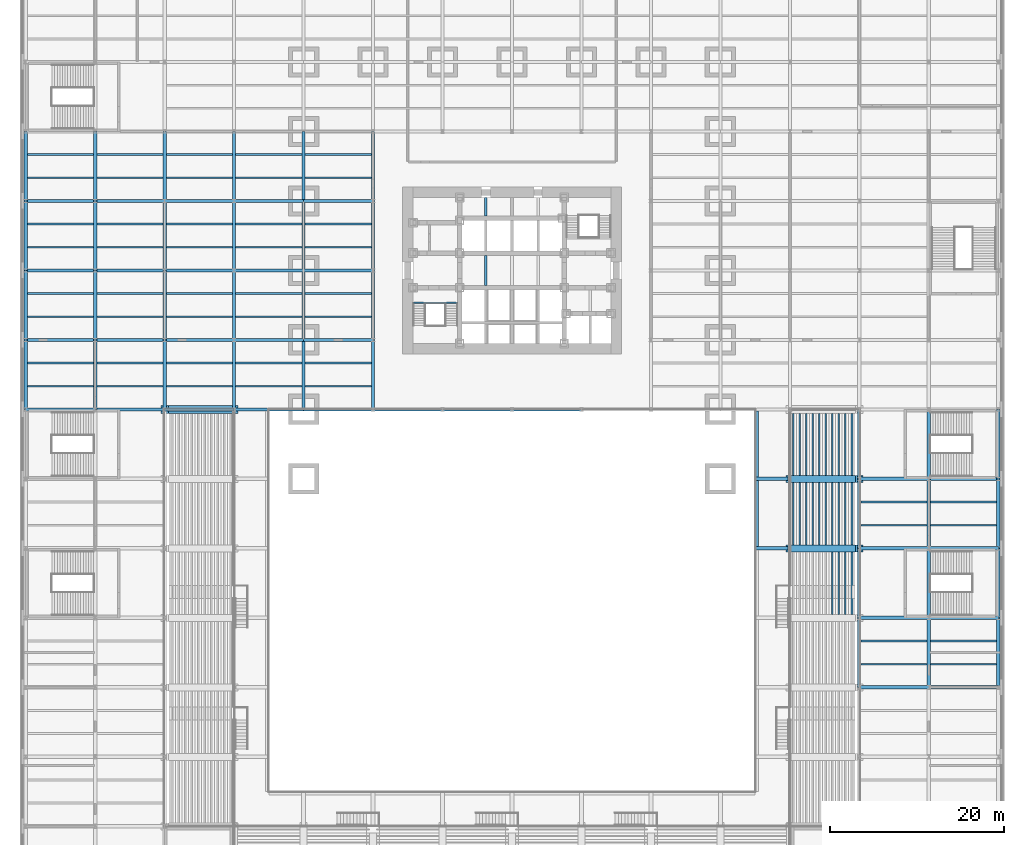
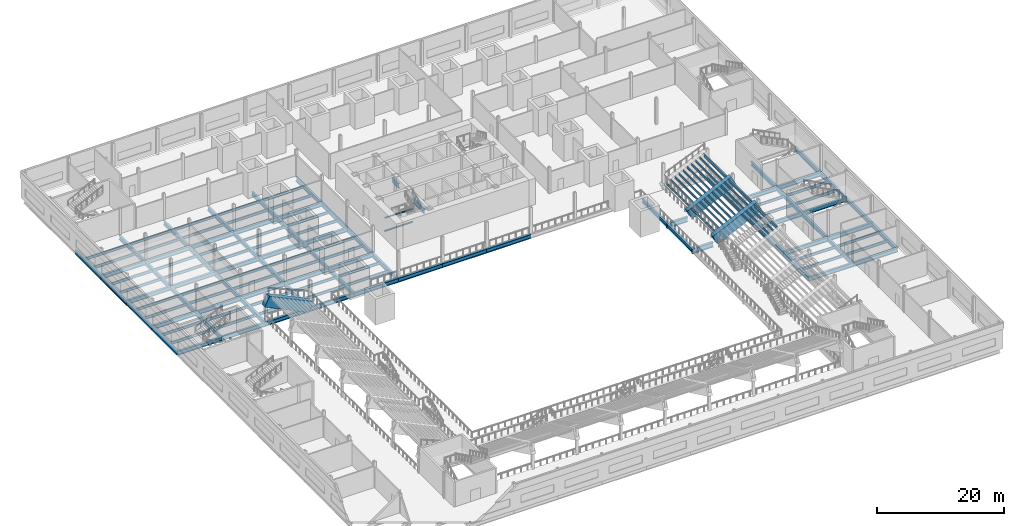
# One storey, part 9 of 27: 150 beams.
"""IFC4 building model written with IfcOpenShell, lengths in metres."""

from ifc_helpers import new_model, si_unit, direction, frame, origin, origin_2d, place, context, subcontext, project, spatial, rectangle, i_section, extrude, material, material_profile, profile_set, type_object, element, save


model = new_model("IFC4")

# Units and contexts
model_context = context("Model", 3, precision=1e-05, world=origin(), true_north=direction((0.0, 1.0)))
body_context = subcontext(model_context, "Body", "Model", "MODEL_VIEW")
ifc_project = project(units=[si_unit("LENGTHUNIT", "METRE"), si_unit("AREAUNIT", "SQUARE_METRE"), si_unit("VOLUMEUNIT", "CUBIC_METRE"), si_unit("PLANEANGLEUNIT", "RADIAN"), si_unit("MASSUNIT", "GRAM", prefix="KILO")], contexts=[model_context])

# Site, building, storey
site_placement = place(None, origin())
site = spatial("IfcSite", under=ifc_project, at=site_placement, CompositionType="ELEMENT")
building_placement = place(site_placement, origin())
building = spatial("IfcBuilding", under=site, at=building_placement, Name="Daluyong Arena Tower", CompositionType="ELEMENT")
storey_placement = place(building_placement, frame((0.0, 0.0, 14.89990234375)))
storey = spatial("IfcBuildingStorey", under=building, at=storey_placement, Name="L03", CompositionType="ELEMENT", Elevation=14.89990234375)

# Beams
ifc_material_1 = material(Name="Steel ASTM A992 Grade 50", Category="steel")
ifc_material_profile_1 = material_profile(ifc_material_1, i_section(OverallWidth=0.424072265625, OverallDepth=0.947509765625, WebThickness=0.02392578125, FlangeThickness=0.042724609375, at=origin_2d()))
ifc_profile_set_1 = profile_set([ifc_material_profile_1], Name="Steel ASTM A992 Grade 50")
beam_type_1 = type_object("IfcBeamType", Name="Cross-aisle bracket W36X302", PredefinedType="BEAM", material=ifc_profile_set_1)
for number, where, z_axis, x_axis, name in (
    (1, (87.796875, 48.0, -0.773681640625), (-1.0, 0.0, 0.0), (0.0, -1.0, 0.0), "cross-aisle bracket CB1"),
    (2, (87.796875, 56.0, -0.773681640625), (-1.0, 0.0, 0.0), (0.0, -1.0, 0.0), "cross-aisle bracket CB1"),
):
    element("IfcBeam", number, at=place(storey_placement, frame(where, z_axis=z_axis, x_axis=x_axis)), inside=storey, type_object=beam_type_1, Name=name, PredefinedType="BEAM", context=body_context, shape_type="SweptSolid", body=[
        extrude(i_section(OverallWidth=0.424072265625, OverallDepth=0.947509765625, WebThickness=0.02392578125, FlangeThickness=0.042724609375, at=origin_2d()), origin(), (0.0, 0.0, 1.0), 3.796875),
    ])
ifc_material_2 = material(Name="Steel ASTM A992 Grade 50", Category="steel")
ifc_material_profile_2 = material_profile(ifc_material_2, i_section(OverallWidth=0.381103515625, OverallDepth=0.772216796875, WebThickness=0.0166015625, FlangeThickness=0.027099609375, at=origin_2d()))
ifc_profile_set_2 = profile_set([ifc_material_profile_2], Name="Steel ASTM A992 Grade 50")
beam_type_2 = type_object("IfcBeamType", Name="Cross-aisle edge beam W30X173", PredefinedType="BEAM", material=ifc_profile_set_2)
beam_1_placement = place(storey_placement, frame((84.1904296875, 48.0, -0.68603515625), z_axis=(0.0, 1.0, 0.0), x_axis=(-1.0, 0.0, 0.0)))
element("IfcBeam", 3, at=beam_1_placement, inside=storey, type_object=beam_type_2, Name="cross-aisle edge beam CE1", PredefinedType="BEAM", context=body_context, shape_type="SweptSolid", body=[
    extrude(i_section(OverallWidth=0.381103515625, OverallDepth=0.772216796875, WebThickness=0.0166015625, FlangeThickness=0.027099609375, at=origin_2d()), origin(), (0.0, 0.0, 1.0), 8.0),
])
beam_2_placement = place(storey_placement, frame((84.1904296875, 56.0, -0.68603515625), z_axis=(0.0, 1.0, 0.0), x_axis=(-1.0, 0.0, 0.0)))
element("IfcBeam", 4, at=beam_2_placement, inside=storey, type_object=beam_type_2, Name="cross-aisle edge beam CE1", PredefinedType="BEAM", context=body_context, shape_type="SweptSolid", body=[
    extrude(i_section(OverallWidth=0.381103515625, OverallDepth=0.772216796875, WebThickness=0.0166015625, FlangeThickness=0.027099609375, at=origin_2d()), origin(), (0.0, 0.0, 1.0), 7.8095703125),
])
ifc_material_3 = material(Name="Steel ASTM A572 Grade 50", Category="steel")
ifc_material_profile_3 = material_profile(ifc_material_3, i_section(OverallWidth=0.300048828125, OverallDepth=0.89990234375, WebThickness=0.025, FlangeThickness=0.04, at=origin_2d()))
ifc_profile_set_3 = profile_set([ifc_material_profile_3], Name="Steel ASTM A572 Grade 50")
beam_type_3 = type_object("IfcBeamType", Name="Lift divider beam PG900X300", PredefinedType="BEAM", material=ifc_profile_set_3)
beam_3_placement = place(storey_placement, frame((53.0, 78.25, -0.64990234375), z_axis=(0.0, 1.0, 0.0), x_axis=(-1.0, 0.0, 0.0)))
element("IfcBeam", 5, at=beam_3_placement, inside=storey, type_object=beam_type_3, Name="lift divider beam DB1", PredefinedType="BEAM", context=body_context, shape_type="SweptSolid", body=[
    extrude(i_section(OverallWidth=0.300048828125, OverallDepth=0.89990234375, WebThickness=0.025, FlangeThickness=0.04, at=origin_2d()), origin(), (0.0, 0.0, 1.0), 3.5),
])
beam_4_placement = place(storey_placement, frame((53.0, 86.25, -0.64990234375), z_axis=(0.0, 1.0, 0.0), x_axis=(-1.0, 0.0, 0.0)))
element("IfcBeam", 6, at=beam_4_placement, inside=storey, type_object=beam_type_3, Name="lift divider beam DB1", PredefinedType="BEAM", context=body_context, shape_type="SweptSolid", body=[
    extrude(i_section(OverallWidth=0.300048828125, OverallDepth=0.89990234375, WebThickness=0.025, FlangeThickness=0.04, at=origin_2d()), origin(), (0.0, 0.0, 1.0), 2.14990234375),
])
ifc_material_4 = material(Name="Steel ASTM A992 Grade 50", Category="steel")
ifc_material_profile_4 = material_profile(ifc_material_4, i_section(OverallWidth=0.209228515625, OverallDepth=0.533447265625, WebThickness=0.01025390625, FlangeThickness=0.015625, at=origin_2d()))
ifc_profile_set_4 = profile_set([ifc_material_profile_4], Name="Steel ASTM A992 Grade 50")
beam_type_4 = type_object("IfcBeamType", Name="Podium floor beam W21X62", PredefinedType="BEAM", material=ifc_profile_set_4)
for number, where, z_axis, x_axis, name in (
    (7, (0.1904296875, 66.666748046875, -0.466552734375), (1.0, 0.0, 0.0), (0.0, 1.0, 0.0), "podium floor beam PB1"),
    (8, (0.1904296875, 69.333251953125, -0.466552734375), (1.0, 0.0, 0.0), (0.0, 1.0, 0.0), "podium floor beam PB1"),
    (9, (0.1904296875, 74.666748046875, -0.466552734375), (1.0, 0.0, 0.0), (0.0, 1.0, 0.0), "podium floor beam PB1"),
    (10, (0.1904296875, 77.333251953125, -0.466552734375), (1.0, 0.0, 0.0), (0.0, 1.0, 0.0), "podium floor beam PB1"),
    (11, (0.1904296875, 82.666748046875, -0.466552734375), (1.0, 0.0, 0.0), (0.0, 1.0, 0.0), "podium floor beam PB1"),
    (12, (0.1904296875, 85.333251953125, -0.466552734375), (1.0, 0.0, 0.0), (0.0, 1.0, 0.0), "podium floor beam PB1"),
    (13, (0.1904296875, 90.666748046875, -0.466552734375), (1.0, 0.0, 0.0), (0.0, 1.0, 0.0), "podium floor beam PB1"),
    (14, (0.1904296875, 93.333251953125, -0.466552734375), (1.0, 0.0, 0.0), (0.0, 1.0, 0.0), "podium floor beam PB1"),
    (15, (8.1904296875, 66.666748046875, -0.466552734375), (1.0, 0.0, 0.0), (0.0, 1.0, 0.0), "podium floor beam PB1"),
    (16, (8.1904296875, 69.333251953125, -0.466552734375), (1.0, 0.0, 0.0), (0.0, 1.0, 0.0), "podium floor beam PB1"),
    (17, (8.1904296875, 74.666748046875, -0.466552734375), (1.0, 0.0, 0.0), (0.0, 1.0, 0.0), "podium floor beam PB1"),
    (18, (8.1904296875, 77.333251953125, -0.466552734375), (1.0, 0.0, 0.0), (0.0, 1.0, 0.0), "podium floor beam PB1"),
    (19, (8.1904296875, 82.666748046875, -0.466552734375), (1.0, 0.0, 0.0), (0.0, 1.0, 0.0), "podium floor beam PB1"),
    (20, (8.1904296875, 85.333251953125, -0.466552734375), (1.0, 0.0, 0.0), (0.0, 1.0, 0.0), "podium floor beam PB1"),
    (21, (8.1904296875, 90.666748046875, -0.466552734375), (1.0, 0.0, 0.0), (0.0, 1.0, 0.0), "podium floor beam PB1"),
    (22, (8.1904296875, 93.333251953125, -0.466552734375), (1.0, 0.0, 0.0), (0.0, 1.0, 0.0), "podium floor beam PB1"),
    (23, (16.1904296875, 66.666748046875, -0.466552734375), (1.0, 0.0, 0.0), (0.0, 1.0, 0.0), "podium floor beam PB1"),
    (24, (16.1904296875, 69.333251953125, -0.466552734375), (1.0, 0.0, 0.0), (0.0, 1.0, 0.0), "podium floor beam PB1"),
    (25, (16.1904296875, 74.666748046875, -0.466552734375), (1.0, 0.0, 0.0), (0.0, 1.0, 0.0), "podium floor beam PB1"),
    (26, (16.1904296875, 77.333251953125, -0.466552734375), (1.0, 0.0, 0.0), (0.0, 1.0, 0.0), "podium floor beam PB1"),
    (27, (16.1904296875, 82.666748046875, -0.466552734375), (1.0, 0.0, 0.0), (0.0, 1.0, 0.0), "podium floor beam PB1"),
    (28, (16.1904296875, 85.333251953125, -0.466552734375), (1.0, 0.0, 0.0), (0.0, 1.0, 0.0), "podium floor beam PB1"),
    (29, (16.1904296875, 90.666748046875, -0.466552734375), (1.0, 0.0, 0.0), (0.0, 1.0, 0.0), "podium floor beam PB1"),
    (30, (16.1904296875, 93.333251953125, -0.466552734375), (1.0, 0.0, 0.0), (0.0, 1.0, 0.0), "podium floor beam PB1"),
    (31, (24.1904296875, 66.666748046875, -0.466552734375), (1.0, 0.0, 0.0), (0.0, 1.0, 0.0), "podium floor beam PB1"),
    (32, (24.1904296875, 69.333251953125, -0.466552734375), (1.0, 0.0, 0.0), (0.0, 1.0, 0.0), "podium floor beam PB1"),
    (33, (24.1904296875, 74.666748046875, -0.466552734375), (1.0, 0.0, 0.0), (0.0, 1.0, 0.0), "podium floor beam PB1"),
    (34, (24.1904296875, 77.333251953125, -0.466552734375), (1.0, 0.0, 0.0), (0.0, 1.0, 0.0), "podium floor beam PB1"),
    (35, (24.1904296875, 82.666748046875, -0.466552734375), (1.0, 0.0, 0.0), (0.0, 1.0, 0.0), "podium floor beam PB1"),
    (36, (24.1904296875, 85.333251953125, -0.466552734375), (1.0, 0.0, 0.0), (0.0, 1.0, 0.0), "podium floor beam PB1"),
    (37, (24.1904296875, 90.666748046875, -0.466552734375), (1.0, 0.0, 0.0), (0.0, 1.0, 0.0), "podium floor beam PB1"),
    (38, (24.1904296875, 93.333251953125, -0.466552734375), (1.0, 0.0, 0.0), (0.0, 1.0, 0.0), "podium floor beam PB1"),
    (39, (32.1904296875, 66.666748046875, -0.466552734375), (1.0, 0.0, 0.0), (0.0, 1.0, 0.0), "podium floor beam PB1"),
    (40, (32.1904296875, 69.333251953125, -0.466552734375), (1.0, 0.0, 0.0), (0.0, 1.0, 0.0), "podium floor beam PB1"),
    (41, (32.1904296875, 74.666748046875, -0.466552734375), (1.0, 0.0, 0.0), (0.0, 1.0, 0.0), "podium floor beam PB1"),
    (42, (32.1904296875, 77.333251953125, -0.466552734375), (1.0, 0.0, 0.0), (0.0, 1.0, 0.0), "podium floor beam PB1"),
    (43, (32.1904296875, 82.666748046875, -0.466552734375), (1.0, 0.0, 0.0), (0.0, 1.0, 0.0), "podium floor beam PB1"),
    (44, (32.1904296875, 85.333251953125, -0.466552734375), (1.0, 0.0, 0.0), (0.0, 1.0, 0.0), "podium floor beam PB1"),
    (45, (32.1904296875, 90.666748046875, -0.466552734375), (1.0, 0.0, 0.0), (0.0, 1.0, 0.0), "podium floor beam PB1"),
    (46, (32.1904296875, 93.333251953125, -0.466552734375), (1.0, 0.0, 0.0), (0.0, 1.0, 0.0), "podium floor beam PB1"),
    (47, (96.1904296875, 34.666748046875, -0.466552734375), (1.0, 0.0, 0.0), (0.0, 1.0, 0.0), "podium floor beam PB1"),
    (48, (96.1904296875, 37.333251953125, -0.466552734375), (1.0, 0.0, 0.0), (0.0, 1.0, 0.0), "podium floor beam PB1"),
    (49, (96.1904296875, 50.666748046875, -0.466552734375), (1.0, 0.0, 0.0), (0.0, 1.0, 0.0), "podium floor beam PB1"),
    (50, (96.1904296875, 53.333251953125, -0.466552734375), (1.0, 0.0, 0.0), (0.0, 1.0, 0.0), "podium floor beam PB1"),
    (51, (104.1904296875, 34.666748046875, -0.466552734375), (1.0, 0.0, 0.0), (0.0, 1.0, 0.0), "podium floor beam PB1"),
    (52, (104.1904296875, 37.333251953125, -0.466552734375), (1.0, 0.0, 0.0), (0.0, 1.0, 0.0), "podium floor beam PB1"),
    (53, (104.1904296875, 50.666748046875, -0.466552734375), (1.0, 0.0, 0.0), (0.0, 1.0, 0.0), "podium floor beam PB1"),
    (54, (104.1904296875, 53.333251953125, -0.466552734375), (1.0, 0.0, 0.0), (0.0, 1.0, 0.0), "podium floor beam PB1"),
):
    element("IfcBeam", number, at=place(storey_placement, frame(where, z_axis=z_axis, x_axis=x_axis)), inside=storey, type_object=beam_type_4, Name=name, PredefinedType="BEAM", context=body_context, shape_type="SweptSolid", body=[
        extrude(i_section(OverallWidth=0.209228515625, OverallDepth=0.533447265625, WebThickness=0.01025390625, FlangeThickness=0.015625, at=origin_2d()), origin(), (0.0, 0.0, 1.0), 7.619140625),
    ])
ifc_material_5 = material(Name="Steel ASTM A992 Grade 50", Category="steel")
ifc_material_profile_5 = material_profile(ifc_material_5, i_section(OverallWidth=0.381103515625, OverallDepth=0.772216796875, WebThickness=0.0166015625, FlangeThickness=0.027099609375, at=origin_2d()))
ifc_profile_set_5 = profile_set([ifc_material_profile_5], Name="Steel ASTM A992 Grade 50")
beam_type_5 = type_object("IfcBeamType", Name="Podium girder W30X173", PredefinedType="BEAM", material=ifc_profile_set_5)
for number, where, z_axis, x_axis, name in (
    (55, (0.0, 64.0, -0.5859375), (1.0, 0.0, 0.0), (0.0, 1.0, 0.0), "podium girder PG1"),
    (56, (0.0, 64.0, -0.5859375), (0.0, 1.0, 0.0), (-1.0, 0.0, 0.0), "podium girder PG1"),
    (57, (0.0, 72.0, -0.5859375), (1.0, 0.0, 0.0), (0.0, 1.0, 0.0), "podium girder PG1"),
    (58, (0.0, 72.0, -0.5859375), (0.0, 1.0, 0.0), (-1.0, 0.0, 0.0), "podium girder PG1"),
    (59, (0.0, 80.0, -0.5859375), (1.0, 0.0, 0.0), (0.0, 1.0, 0.0), "podium girder PG1"),
    (60, (0.0, 80.0, -0.5859375), (0.0, 1.0, 0.0), (-1.0, 0.0, 0.0), "podium girder PG1"),
    (61, (0.0, 88.0, -0.5859375), (1.0, 0.0, 0.0), (0.0, 1.0, 0.0), "podium girder PG1"),
    (62, (0.0, 88.0, -0.5859375), (0.0, 1.0, 0.0), (-1.0, 0.0, 0.0), "podium girder PG1"),
    (63, (8.0, 64.0, -0.5859375), (1.0, 0.0, 0.0), (0.0, 1.0, 0.0), "podium girder PG1"),
    (64, (8.0, 64.0, -0.5859375), (0.0, 1.0, 0.0), (-1.0, 0.0, 0.0), "podium girder PG1"),
    (65, (8.0, 72.0, -0.5859375), (1.0, 0.0, 0.0), (0.0, 1.0, 0.0), "podium girder PG1"),
    (66, (8.0, 72.0, -0.5859375), (0.0, 1.0, 0.0), (-1.0, 0.0, 0.0), "podium girder PG1"),
    (67, (8.0, 80.0, -0.5859375), (1.0, 0.0, 0.0), (0.0, 1.0, 0.0), "podium girder PG1"),
    (68, (8.0, 80.0, -0.5859375), (0.0, 1.0, 0.0), (-1.0, 0.0, 0.0), "podium girder PG1"),
    (69, (8.0, 88.0, -0.5859375), (1.0, 0.0, 0.0), (0.0, 1.0, 0.0), "podium girder PG1"),
    (70, (8.0, 88.0, -0.5859375), (0.0, 1.0, 0.0), (-1.0, 0.0, 0.0), "podium girder PG1"),
    (71, (16.0, 64.0, -0.5859375), (1.0, 0.0, 0.0), (0.0, 1.0, 0.0), "podium girder PG1"),
    (72, (16.0, 64.0, -0.5859375), (0.0, 1.0, 0.0), (-1.0, 0.0, 0.0), "podium girder PG1"),
    (73, (16.0, 72.0, -0.5859375), (1.0, 0.0, 0.0), (0.0, 1.0, 0.0), "podium girder PG1"),
    (74, (16.0, 72.0, -0.5859375), (0.0, 1.0, 0.0), (-1.0, 0.0, 0.0), "podium girder PG1"),
    (75, (16.0, 80.0, -0.5859375), (1.0, 0.0, 0.0), (0.0, 1.0, 0.0), "podium girder PG1"),
    (76, (16.0, 80.0, -0.5859375), (0.0, 1.0, 0.0), (-1.0, 0.0, 0.0), "podium girder PG1"),
    (77, (16.0, 88.0, -0.5859375), (1.0, 0.0, 0.0), (0.0, 1.0, 0.0), "podium girder PG1"),
    (78, (16.0, 88.0, -0.5859375), (0.0, 1.0, 0.0), (-1.0, 0.0, 0.0), "podium girder PG1"),
    (79, (24.0, 64.0, -0.5859375), (1.0, 0.0, 0.0), (0.0, 1.0, 0.0), "podium girder PG1"),
    (80, (24.0, 64.0, -0.5859375), (0.0, 1.0, 0.0), (-1.0, 0.0, 0.0), "podium girder PG1"),
    (81, (24.0, 72.0, -0.5859375), (1.0, 0.0, 0.0), (0.0, 1.0, 0.0), "podium girder PG1"),
    (82, (24.0, 72.0, -0.5859375), (0.0, 1.0, 0.0), (-1.0, 0.0, 0.0), "podium girder PG1"),
    (83, (24.0, 80.0, -0.5859375), (1.0, 0.0, 0.0), (0.0, 1.0, 0.0), "podium girder PG1"),
    (84, (24.0, 80.0, -0.5859375), (0.0, 1.0, 0.0), (-1.0, 0.0, 0.0), "podium girder PG1"),
    (85, (24.0, 88.0, -0.5859375), (1.0, 0.0, 0.0), (0.0, 1.0, 0.0), "podium girder PG1"),
    (86, (24.0, 88.0, -0.5859375), (0.0, 1.0, 0.0), (-1.0, 0.0, 0.0), "podium girder PG1"),
    (87, (32.0, 64.0, -0.5859375), (1.0, 0.0, 0.0), (0.0, 1.0, 0.0), "podium girder PG1"),
    (88, (32.0, 64.0, -0.5859375), (0.0, 1.0, 0.0), (-1.0, 0.0, 0.0), "podium girder PG1"),
    (89, (32.0, 72.0, -0.5859375), (1.0, 0.0, 0.0), (0.0, 1.0, 0.0), "podium girder PG1"),
    (90, (32.0, 72.0, -0.5859375), (0.0, 1.0, 0.0), (-1.0, 0.0, 0.0), "podium girder PG1"),
    (91, (32.0, 80.0, -0.5859375), (1.0, 0.0, 0.0), (0.0, 1.0, 0.0), "podium girder PG1"),
    (92, (32.0, 80.0, -0.5859375), (0.0, 1.0, 0.0), (-1.0, 0.0, 0.0), "podium girder PG1"),
    (93, (32.0, 88.0, -0.5859375), (1.0, 0.0, 0.0), (0.0, 1.0, 0.0), "podium girder PG1"),
    (94, (32.0, 88.0, -0.5859375), (0.0, 1.0, 0.0), (-1.0, 0.0, 0.0), "podium girder PG1"),
    (95, (40.0, 64.0, -0.5859375), (1.0, 0.0, 0.0), (0.0, 1.0, 0.0), "podium girder PG1"),
    (96, (40.0, 64.0, -0.5859375), (0.0, 1.0, 0.0), (-1.0, 0.0, 0.0), "podium girder PG1"),
    (97, (40.0, 72.0, -0.5859375), (0.0, 1.0, 0.0), (-1.0, 0.0, 0.0), "podium girder PG1"),
    (98, (40.0, 80.0, -0.5859375), (0.0, 1.0, 0.0), (-1.0, 0.0, 0.0), "podium girder PG1"),
    (99, (40.0, 88.0, -0.5859375), (0.0, 1.0, 0.0), (-1.0, 0.0, 0.0), "podium girder PG1"),
    (100, (48.0, 64.0, -0.5859375), (1.0, 0.0, 0.0), (0.0, 1.0, 0.0), "podium girder PG1"),
    (101, (56.0, 64.0, -0.5859375), (1.0, 0.0, 0.0), (0.0, 1.0, 0.0), "podium girder PG1"),
    (102, (96.0, 32.0, -0.5859375), (1.0, 0.0, 0.0), (0.0, 1.0, 0.0), "podium girder PG1"),
    (103, (96.0, 32.0, -0.5859375), (0.0, 1.0, 0.0), (-1.0, 0.0, 0.0), "podium girder PG1"),
    (104, (96.0, 40.0, -0.5859375), (1.0, 0.0, 0.0), (0.0, 1.0, 0.0), "podium girder PG1"),
    (105, (96.0, 40.0, -0.5859375), (0.0, 1.0, 0.0), (-1.0, 0.0, 0.0), "podium girder PG1"),
    (106, (96.0, 48.0, -0.5859375), (1.0, 0.0, 0.0), (0.0, 1.0, 0.0), "podium girder PG1"),
    (107, (96.0, 48.0, -0.5859375), (0.0, 1.0, 0.0), (-1.0, 0.0, 0.0), "podium girder PG1"),
    (108, (96.0, 56.0, -0.5859375), (1.0, 0.0, 0.0), (0.0, 1.0, 0.0), "podium girder PG1"),
    (109, (96.0, 56.0, -0.5859375), (0.0, 1.0, 0.0), (-1.0, 0.0, 0.0), "podium girder PG1"),
    (110, (104.0, 32.0, -0.5859375), (1.0, 0.0, 0.0), (0.0, 1.0, 0.0), "podium girder PG1"),
    (111, (104.0, 32.0, -0.5859375), (0.0, 1.0, 0.0), (-1.0, 0.0, 0.0), "podium girder PG1"),
    (112, (104.0, 40.0, -0.5859375), (1.0, 0.0, 0.0), (0.0, 1.0, 0.0), "podium girder PG1"),
    (113, (104.0, 40.0, -0.5859375), (0.0, 1.0, 0.0), (-1.0, 0.0, 0.0), "podium girder PG1"),
    (114, (104.0, 48.0, -0.5859375), (1.0, 0.0, 0.0), (0.0, 1.0, 0.0), "podium girder PG1"),
    (115, (104.0, 48.0, -0.5859375), (0.0, 1.0, 0.0), (-1.0, 0.0, 0.0), "podium girder PG1"),
    (116, (104.0, 56.0, -0.5859375), (1.0, 0.0, 0.0), (0.0, 1.0, 0.0), "podium girder PG1"),
    (117, (104.0, 56.0, -0.5859375), (0.0, 1.0, 0.0), (-1.0, 0.0, 0.0), "podium girder PG1"),
    (118, (112.0, 32.0, -0.5859375), (0.0, 1.0, 0.0), (-1.0, 0.0, 0.0), "podium girder PG1"),
    (119, (112.0, 40.0, -0.5859375), (0.0, 1.0, 0.0), (-1.0, 0.0, 0.0), "podium girder PG1"),
    (120, (112.0, 48.0, -0.5859375), (0.0, 1.0, 0.0), (-1.0, 0.0, 0.0), "podium girder PG1"),
    (121, (112.0, 56.0, -0.5859375), (0.0, 1.0, 0.0), (-1.0, 0.0, 0.0), "podium girder PG1"),
):
    element("IfcBeam", number, at=place(storey_placement, frame(where, z_axis=z_axis, x_axis=x_axis)), inside=storey, type_object=beam_type_5, Name=name, PredefinedType="BEAM", context=body_context, shape_type="SweptSolid", body=[
        extrude(i_section(OverallWidth=0.381103515625, OverallDepth=0.772216796875, WebThickness=0.0166015625, FlangeThickness=0.027099609375, at=origin_2d()), origin(), (0.0, 0.0, 1.0), 8.0),
    ])
ifc_material_6 = material(Name="Steel ASTM A992 Grade 50", Category="steel")
ifc_material_profile_6 = material_profile(ifc_material_6, i_section(OverallWidth=0.140380859375, OverallDepth=0.40380859375, WebThickness=0.007080078125, FlangeThickness=0.01123046875, at=origin_2d()))
ifc_profile_set_6 = profile_set([ifc_material_profile_6], Name="Steel ASTM A992 Grade 50")
beam_type_6 = type_object("IfcBeamType", Name="Seating beam W16X31", PredefinedType="BEAM", material=ifc_profile_set_6)
beam_5_placement = place(storey_placement, frame((88.375, 48.39990234375, 1.226806640625), z_axis=(0.0, 1.0, 0.0), x_axis=(-1.0, 0.0, 0.0)))
element("IfcBeam", 122, at=beam_5_placement, inside=storey, type_object=beam_type_6, Name="seating beam SN1", PredefinedType="BEAM", context=body_context, shape_type="SweptSolid", body=[
    extrude(i_section(OverallWidth=0.140380859375, OverallDepth=0.40380859375, WebThickness=0.007080078125, FlangeThickness=0.01123046875, at=origin_2d()), origin(), (0.0, 0.0, 1.0), 7.2001953125),
])
beam_6_placement = place(storey_placement, frame((88.375, 56.39990234375, 1.226806640625), z_axis=(0.0, 1.0, 0.0), x_axis=(-1.0, 0.0, 0.0)))
element("IfcBeam", 123, at=beam_6_placement, inside=storey, type_object=beam_type_6, Name="seating beam SN1", PredefinedType="BEAM", context=body_context, shape_type="SweptSolid", body=[
    extrude(i_section(OverallWidth=0.140380859375, OverallDepth=0.40380859375, WebThickness=0.007080078125, FlangeThickness=0.01123046875, at=origin_2d()), origin(), (0.0, 0.0, 1.0), 7.150146484375),
])
beam_7_placement = place(storey_placement, frame((89.125, 48.39990234375, 1.583984375), z_axis=(0.0, 1.0, 0.0), x_axis=(-1.0, 0.0, 0.0)))
element("IfcBeam", 124, at=beam_7_placement, inside=storey, type_object=beam_type_6, Name="seating beam SN1", PredefinedType="BEAM", context=body_context, shape_type="SweptSolid", body=[
    extrude(i_section(OverallWidth=0.140380859375, OverallDepth=0.40380859375, WebThickness=0.007080078125, FlangeThickness=0.01123046875, at=origin_2d()), origin(), (0.0, 0.0, 1.0), 7.2001953125),
])
beam_8_placement = place(storey_placement, frame((89.125, 56.39990234375, 1.583984375), z_axis=(0.0, 1.0, 0.0), x_axis=(-1.0, 0.0, 0.0)))
element("IfcBeam", 125, at=beam_8_placement, inside=storey, type_object=beam_type_6, Name="seating beam SN1", PredefinedType="BEAM", context=body_context, shape_type="SweptSolid", body=[
    extrude(i_section(OverallWidth=0.140380859375, OverallDepth=0.40380859375, WebThickness=0.007080078125, FlangeThickness=0.01123046875, at=origin_2d()), origin(), (0.0, 0.0, 1.0), 7.150146484375),
])
beam_9_placement = place(storey_placement, frame((89.875, 48.39990234375, 1.94091796875), z_axis=(0.0, 1.0, 0.0), x_axis=(-1.0, 0.0, 0.0)))
element("IfcBeam", 126, at=beam_9_placement, inside=storey, type_object=beam_type_6, Name="seating beam SN1", PredefinedType="BEAM", context=body_context, shape_type="SweptSolid", body=[
    extrude(i_section(OverallWidth=0.140380859375, OverallDepth=0.40380859375, WebThickness=0.007080078125, FlangeThickness=0.01123046875, at=origin_2d()), origin(), (0.0, 0.0, 1.0), 7.2001953125),
])
beam_10_placement = place(storey_placement, frame((89.875, 56.39990234375, 1.94091796875), z_axis=(0.0, 1.0, 0.0), x_axis=(-1.0, 0.0, 0.0)))
element("IfcBeam", 127, at=beam_10_placement, inside=storey, type_object=beam_type_6, Name="seating beam SN1", PredefinedType="BEAM", context=body_context, shape_type="SweptSolid", body=[
    extrude(i_section(OverallWidth=0.140380859375, OverallDepth=0.40380859375, WebThickness=0.007080078125, FlangeThickness=0.01123046875, at=origin_2d()), origin(), (0.0, 0.0, 1.0), 7.150146484375),
])
beam_11_placement = place(storey_placement, frame((90.625, 48.39990234375, 2.298095703125), z_axis=(0.0, 1.0, 0.0), x_axis=(-1.0, 0.0, 0.0)))
element("IfcBeam", 128, at=beam_11_placement, inside=storey, type_object=beam_type_6, Name="seating beam SN1", PredefinedType="BEAM", context=body_context, shape_type="SweptSolid", body=[
    extrude(i_section(OverallWidth=0.140380859375, OverallDepth=0.40380859375, WebThickness=0.007080078125, FlangeThickness=0.01123046875, at=origin_2d()), origin(), (0.0, 0.0, 1.0), 7.2001953125),
])
beam_12_placement = place(storey_placement, frame((90.625, 56.39990234375, 2.298095703125), z_axis=(0.0, 1.0, 0.0), x_axis=(-1.0, 0.0, 0.0)))
element("IfcBeam", 129, at=beam_12_placement, inside=storey, type_object=beam_type_6, Name="seating beam SN1", PredefinedType="BEAM", context=body_context, shape_type="SweptSolid", body=[
    extrude(i_section(OverallWidth=0.140380859375, OverallDepth=0.40380859375, WebThickness=0.007080078125, FlangeThickness=0.01123046875, at=origin_2d()), origin(), (0.0, 0.0, 1.0), 7.150146484375),
])
beam_13_placement = place(storey_placement, frame((91.375, 48.39990234375, 2.6552734375), z_axis=(0.0, 1.0, 0.0), x_axis=(-1.0, 0.0, 0.0)))
element("IfcBeam", 130, at=beam_13_placement, inside=storey, type_object=beam_type_6, Name="seating beam SN1", PredefinedType="BEAM", context=body_context, shape_type="SweptSolid", body=[
    extrude(i_section(OverallWidth=0.140380859375, OverallDepth=0.40380859375, WebThickness=0.007080078125, FlangeThickness=0.01123046875, at=origin_2d()), origin(), (0.0, 0.0, 1.0), 7.2001953125),
])
beam_14_placement = place(storey_placement, frame((91.375, 56.39990234375, 2.6552734375), z_axis=(0.0, 1.0, 0.0), x_axis=(-1.0, 0.0, 0.0)))
element("IfcBeam", 131, at=beam_14_placement, inside=storey, type_object=beam_type_6, Name="seating beam SN1", PredefinedType="BEAM", context=body_context, shape_type="SweptSolid", body=[
    extrude(i_section(OverallWidth=0.140380859375, OverallDepth=0.40380859375, WebThickness=0.007080078125, FlangeThickness=0.01123046875, at=origin_2d()), origin(), (0.0, 0.0, 1.0), 7.150146484375),
])
beam_15_placement = place(storey_placement, frame((92.125, 48.39990234375, 3.012451171875), z_axis=(0.0, 1.0, 0.0), x_axis=(-1.0, 0.0, 0.0)))
element("IfcBeam", 132, at=beam_15_placement, inside=storey, type_object=beam_type_6, Name="seating beam SN1", PredefinedType="BEAM", context=body_context, shape_type="SweptSolid", body=[
    extrude(i_section(OverallWidth=0.140380859375, OverallDepth=0.40380859375, WebThickness=0.007080078125, FlangeThickness=0.01123046875, at=origin_2d()), origin(), (0.0, 0.0, 1.0), 7.2001953125),
])
beam_16_placement = place(storey_placement, frame((92.125, 56.39990234375, 3.012451171875), z_axis=(0.0, 1.0, 0.0), x_axis=(-1.0, 0.0, 0.0)))
element("IfcBeam", 133, at=beam_16_placement, inside=storey, type_object=beam_type_6, Name="seating beam SN1", PredefinedType="BEAM", context=body_context, shape_type="SweptSolid", body=[
    extrude(i_section(OverallWidth=0.140380859375, OverallDepth=0.40380859375, WebThickness=0.007080078125, FlangeThickness=0.01123046875, at=origin_2d()), origin(), (0.0, 0.0, 1.0), 7.150146484375),
])
for number, where, z_axis, x_axis, name in (
    (134, (92.875, 40.39990234375, 3.36962890625), (0.0, 1.0, 0.0), (-1.0, 0.0, 0.0), "seating beam SN1"),
    (135, (92.875, 48.39990234375, 3.36962890625), (0.0, 1.0, 0.0), (-1.0, 0.0, 0.0), "seating beam SN1"),
):
    element("IfcBeam", number, at=place(storey_placement, frame(where, z_axis=z_axis, x_axis=x_axis)), inside=storey, type_object=beam_type_6, Name=name, PredefinedType="BEAM", context=body_context, shape_type="SweptSolid", body=[
        extrude(i_section(OverallWidth=0.140380859375, OverallDepth=0.40380859375, WebThickness=0.007080078125, FlangeThickness=0.01123046875, at=origin_2d()), origin(), (0.0, 0.0, 1.0), 7.2001953125),
    ])
beam_17_placement = place(storey_placement, frame((92.875, 56.39990234375, 3.36962890625), z_axis=(0.0, 1.0, 0.0), x_axis=(-1.0, 0.0, 0.0)))
element("IfcBeam", 136, at=beam_17_placement, inside=storey, type_object=beam_type_6, Name="seating beam SN1", PredefinedType="BEAM", context=body_context, shape_type="SweptSolid", body=[
    extrude(i_section(OverallWidth=0.140380859375, OverallDepth=0.40380859375, WebThickness=0.007080078125, FlangeThickness=0.01123046875, at=origin_2d()), origin(), (0.0, 0.0, 1.0), 7.150146484375),
])
for number, where, z_axis, x_axis, name in (
    (137, (93.625, 40.39990234375, 3.726806640625), (0.0, 1.0, 0.0), (-1.0, 0.0, 0.0), "seating beam SN1"),
    (138, (93.625, 48.39990234375, 3.726806640625), (0.0, 1.0, 0.0), (-1.0, 0.0, 0.0), "seating beam SN1"),
):
    element("IfcBeam", number, at=place(storey_placement, frame(where, z_axis=z_axis, x_axis=x_axis)), inside=storey, type_object=beam_type_6, Name=name, PredefinedType="BEAM", context=body_context, shape_type="SweptSolid", body=[
        extrude(i_section(OverallWidth=0.140380859375, OverallDepth=0.40380859375, WebThickness=0.007080078125, FlangeThickness=0.01123046875, at=origin_2d()), origin(), (0.0, 0.0, 1.0), 7.2001953125),
    ])
beam_18_placement = place(storey_placement, frame((93.625, 56.39990234375, 3.726806640625), z_axis=(0.0, 1.0, 0.0), x_axis=(-1.0, 0.0, 0.0)))
element("IfcBeam", 139, at=beam_18_placement, inside=storey, type_object=beam_type_6, Name="seating beam SN1", PredefinedType="BEAM", context=body_context, shape_type="SweptSolid", body=[
    extrude(i_section(OverallWidth=0.140380859375, OverallDepth=0.40380859375, WebThickness=0.007080078125, FlangeThickness=0.01123046875, at=origin_2d()), origin(), (0.0, 0.0, 1.0), 7.150146484375),
])
for number, where, z_axis, x_axis, name in (
    (140, (94.375, 40.39990234375, 4.083984375), (0.0, 1.0, 0.0), (-1.0, 0.0, 0.0), "seating beam SN1"),
    (141, (94.375, 48.39990234375, 4.083984375), (0.0, 1.0, 0.0), (-1.0, 0.0, 0.0), "seating beam SN1"),
):
    element("IfcBeam", number, at=place(storey_placement, frame(where, z_axis=z_axis, x_axis=x_axis)), inside=storey, type_object=beam_type_6, Name=name, PredefinedType="BEAM", context=body_context, shape_type="SweptSolid", body=[
        extrude(i_section(OverallWidth=0.140380859375, OverallDepth=0.40380859375, WebThickness=0.007080078125, FlangeThickness=0.01123046875, at=origin_2d()), origin(), (0.0, 0.0, 1.0), 7.2001953125),
    ])
beam_19_placement = place(storey_placement, frame((94.375, 56.39990234375, 4.083984375), z_axis=(0.0, 1.0, 0.0), x_axis=(-1.0, 0.0, 0.0)))
element("IfcBeam", 142, at=beam_19_placement, inside=storey, type_object=beam_type_6, Name="seating beam SN1", PredefinedType="BEAM", context=body_context, shape_type="SweptSolid", body=[
    extrude(i_section(OverallWidth=0.140380859375, OverallDepth=0.40380859375, WebThickness=0.007080078125, FlangeThickness=0.01123046875, at=origin_2d()), origin(), (0.0, 0.0, 1.0), 7.150146484375),
])
ifc_material_7 = material(Name="Steel ASTM A992 Grade 50", Category="steel")
ifc_material_profile_7 = material_profile(ifc_material_7, i_section(OverallWidth=0.22900390625, OverallDepth=0.612060546875, WebThickness=0.011962890625, FlangeThickness=0.01953125, at=origin_2d()))
ifc_profile_set_7 = profile_set([ifc_material_profile_7], Name="Steel ASTM A992 Grade 50")
beam_type_7 = type_object("IfcBeamType", Name="Seating beam W24X84", PredefinedType="BEAM", material=ifc_profile_set_7)
for number, where, z_axis, x_axis, name in (
    (143, (95.125, 40.39990234375, 4.3369140625), (0.0, 1.0, 0.0), (-1.0, 0.0, 0.0), "seating beam SN2"),
    (144, (95.125, 48.39990234375, 4.3369140625), (0.0, 1.0, 0.0), (-1.0, 0.0, 0.0), "seating beam SN2"),
):
    element("IfcBeam", number, at=place(storey_placement, frame(where, z_axis=z_axis, x_axis=x_axis)), inside=storey, type_object=beam_type_7, Name=name, PredefinedType="BEAM", context=body_context, shape_type="SweptSolid", body=[
        extrude(i_section(OverallWidth=0.22900390625, OverallDepth=0.612060546875, WebThickness=0.011962890625, FlangeThickness=0.01953125, at=origin_2d()), origin(), (0.0, 0.0, 1.0), 7.2001953125),
    ])
beam_20_placement = place(storey_placement, frame((95.125, 56.39990234375, 4.3369140625), z_axis=(0.0, 1.0, 0.0), x_axis=(-1.0, 0.0, 0.0)))
element("IfcBeam", 145, at=beam_20_placement, inside=storey, type_object=beam_type_7, Name="seating beam SN2", PredefinedType="BEAM", context=body_context, shape_type="SweptSolid", body=[
    extrude(i_section(OverallWidth=0.22900390625, OverallDepth=0.612060546875, WebThickness=0.011962890625, FlangeThickness=0.01953125, at=origin_2d()), origin(), (0.0, 0.0, 1.0), 7.150146484375),
])
ifc_material_8 = material(Name="Concrete fc' 45 MPa", Category="concrete")
ifc_material_profile_8 = material_profile(ifc_material_8, rectangle(XDim=0.800048828125, YDim=2.0, at=origin_2d()))
ifc_profile_set_8 = profile_set([ifc_material_profile_8], Name="Concrete fc' 45 MPa")
beam_type_8 = type_object("IfcBeamType", Name="Seating raker RC800X2000", PredefinedType="BEAM", material=ifc_profile_set_8)
for number, where, z_axis, x_axis, name in (
    (146, (88.0, 48.0, 0.071533203125), (0.902858481619, 0.0, 0.429937858496), (0.0, 1.0, 0.0), "seating raker RK"),
    (147, (88.0, 56.0, 0.071533203125), (0.902858481619, 0.0, 0.429937858496), (0.0, 1.0, 0.0), "seating raker RK"),
):
    element("IfcBeam", number, at=place(storey_placement, frame(where, z_axis=z_axis, x_axis=x_axis)), inside=storey, type_object=beam_type_8, Name=name, PredefinedType="BEAM", context=body_context, shape_type="SweptSolid", body=[
        extrude(rectangle(XDim=0.800048828125, YDim=2.0, at=origin_2d()), origin(), (0.0, 0.0, 1.0), 8.86083984375),
    ])
ifc_material_9 = material(Name="Concrete fc' 45 MPa", Category="concrete")
ifc_material_profile_9 = material_profile(ifc_material_9, rectangle(XDim=0.89990234375, YDim=2.0, at=origin_2d()))
ifc_profile_set_9 = profile_set([ifc_material_profile_9], Name="Concrete fc' 45 MPa")
beam_type_9 = type_object("IfcBeamType", Name="Seating raker RC900X2000", PredefinedType="BEAM", material=ifc_profile_set_9)
beam_21_placement = place(storey_placement, frame((24.0, 64.0, 0.071533203125), z_axis=(-0.902858481619, 0.0, 0.429937858496), x_axis=(0.0, -1.0, 0.0)))
element("IfcBeam", 148, at=beam_21_placement, inside=storey, type_object=beam_type_9, Name="seating raker RK", PredefinedType="BEAM", context=body_context, shape_type="SweptSolid", body=[
    extrude(rectangle(XDim=0.89990234375, YDim=2.0, at=origin_2d()), origin(), (0.0, 0.0, 1.0), 8.86083984375),
])
ifc_material_10 = material(Name="Steel ASTM A992 Grade 50", Category="steel")
ifc_material_profile_10 = material_profile(ifc_material_10, i_section(OverallWidth=0.203125, OverallDepth=0.203125, WebThickness=0.00732421875, FlangeThickness=0.010986328125, at=origin_2d()))
ifc_profile_set_10 = profile_set([ifc_material_profile_10], Name="Steel ASTM A992 Grade 50")
beam_type_10 = type_object("IfcBeamType", Name="Stair landing beam W8X31", PredefinedType="BEAM", material=ifc_profile_set_10)
for number, where, z_axis, x_axis, name in (
    (149, (44.60009765625, 76.276611328125, -0.301513671875), (1.0, 0.0, 0.0), (0.0, 1.0, 0.0), "exit stair A landing beam"),
    (150, (44.60009765625, 76.276611328125, 2.198486328125), (1.0, 0.0, 0.0), (0.0, 1.0, 0.0), "exit stair A landing beam"),
):
    element("IfcBeam", number, at=place(storey_placement, frame(where, z_axis=z_axis, x_axis=x_axis)), inside=storey, type_object=beam_type_10, Name=name, PredefinedType="BEAM", context=body_context, shape_type="SweptSolid", body=[
        extrude(i_section(OverallWidth=0.203125, OverallDepth=0.203125, WebThickness=0.00732421875, FlangeThickness=0.010986328125, at=origin_2d()), origin(), (0.0, 0.0, 1.0), 5.14990234375),
    ])

save(model, "model.ifc")
